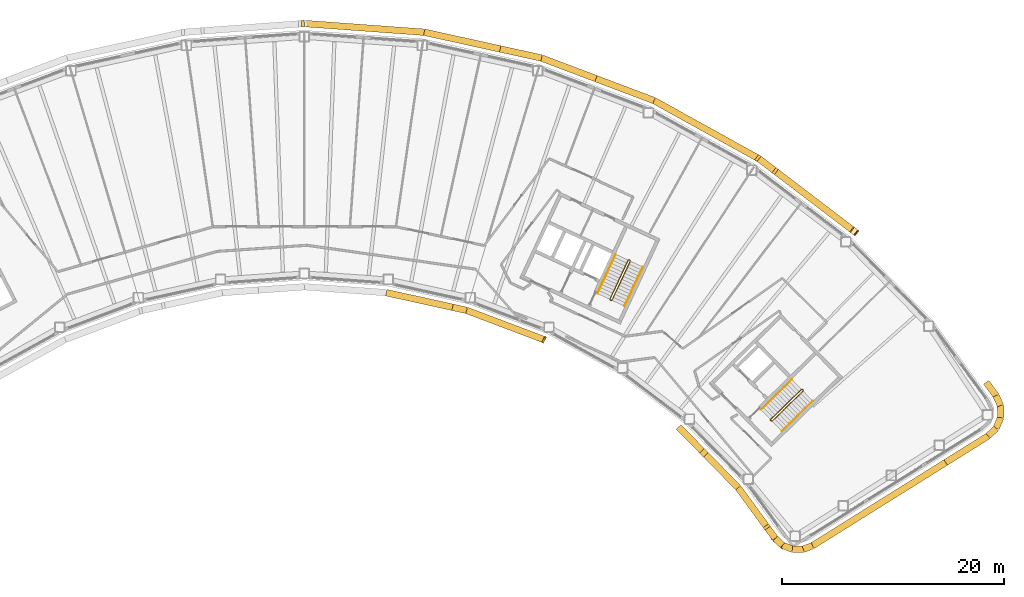
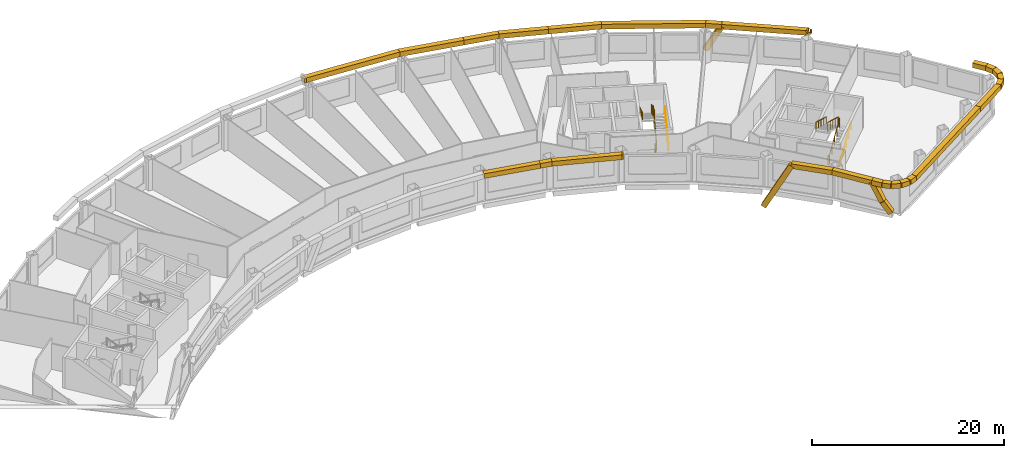
# One storey, part 14 of 14: 33 coverings, 6 railings.
"""IFC4 building model written with IfcOpenShell, lengths in metres."""

import ifcopenshell
import ifcopenshell.guid

model = None  # the IFC model being written
_history = None  # IfcOwnerHistory: only IFC2X3 demands one
_inside = {}  # id of a spatial element -> (the spatial element, [elements in it])
_under = {}  # id of a project, library or spatial element -> (it, [spatial elements below it])
_declared = {}  # id of a project -> (the project, [libraries it declares])
_typed = {}  # id of a type object -> (the type object, [elements of that type])
_made_of = {}  # id of a material, layer set ... -> (it, [elements and type objects made of it])


def new_model(schema):
    """Start an empty IFC model of exactly this schema.

    Asked for "IFC4X3", IfcOpenShell would pick the latest addendum, in which some entities
    have other attributes; the version numbers below select the first issue.
    IFC2X3 requires an IfcOwnerHistory on every rooted entity: one is made here for all.
    """
    global model, _history
    if schema == "IFC4X3":
        model = ifcopenshell.file(schema_version=(4, 3, 0, 0))
    else:
        model = ifcopenshell.file(schema=schema)
    _inside.clear()
    _under.clear()
    _declared.clear()
    _typed.clear()
    _made_of.clear()
    _history = None
    if model.schema == "IFC2X3":
        org = make("IfcOrganization", Name="unknown")
        user = make(
            "IfcPersonAndOrganization",
            ThePerson=make("IfcPerson", FamilyName="unknown"),
            TheOrganization=org,
        )
        app = make(
            "IfcApplication",
            ApplicationDeveloper=org,
            Version="unknown",
            ApplicationFullName="unknown",
            ApplicationIdentifier="unknown",
        )
        _history = make(
            "IfcOwnerHistory",
            OwningUser=user,
            OwningApplication=app,
            ChangeAction="ADDED",
            CreationDate=0,
        )
    return model


def make(cls, **values):
    """One entity of the class cls with the attributes given. An attribute that is None is left unset."""
    return model.create_entity(
        cls, **{name: value for name, value in values.items() if value is not None}
    )


def rooted(cls, **values):
    """An entity with a GlobalId (a new one), such as an element, a storey or a relation."""
    return make(cls, GlobalId=ifcopenshell.guid.new(), OwnerHistory=_history, **values)


def si_unit(unit_type, name, prefix=None):
    """IfcSIUnit, for example si_unit("LENGTHUNIT", "METRE", prefix="MILLI")."""
    return make("IfcSIUnit", UnitType=unit_type, Prefix=prefix, Name=name)


def assignment(units):
    """IfcUnitAssignment: the units of a project."""
    return None if units is None else make("IfcUnitAssignment", Units=units)


def point(xyz):
    """IfcCartesianPoint."""
    return None if xyz is None else make("IfcCartesianPoint", Coordinates=xyz)


def direction(xyz):
    """IfcDirection."""
    return None if xyz is None else make("IfcDirection", DirectionRatios=xyz)


def frame(location, z_axis=None, x_axis=None):
    """IfcAxis2Placement3D, a coordinate frame: its origin and axes. An axis left out is left unset."""
    return make(
        "IfcAxis2Placement3D",
        Location=point(location),
        Axis=direction(z_axis),
        RefDirection=direction(x_axis),
    )


def frame_2d(location, x_axis=None):
    """IfcAxis2Placement2D, a coordinate frame in the plane: its origin and x axis."""
    return make(
        "IfcAxis2Placement2D", Location=point(location), RefDirection=direction(x_axis)
    )


def origin():
    """The frame at (0, 0, 0) with its axes left unset."""
    return frame((0.0, 0.0, 0.0))


def origin_2d():
    """The frame at (0, 0) in the plane with its x axis left unset."""
    return frame_2d((0.0, 0.0))


def place(relative_to, where):
    """IfcLocalPlacement: puts the frame where relative to a parent placement (None: the world)."""
    return make(
        "IfcLocalPlacement", PlacementRelTo=relative_to, RelativePlacement=where
    )


def context(
    kind, dimensions, precision=None, world=None, true_north=None, identifier=None
):
    """IfcGeometricRepresentationContext, for example the 3D "Model" context."""
    return make(
        "IfcGeometricRepresentationContext",
        ContextIdentifier=identifier,
        ContextType=kind,
        CoordinateSpaceDimension=dimensions,
        Precision=precision,
        WorldCoordinateSystem=world,
        TrueNorth=true_north,
    )


def subcontext(parent, identifier, kind, view, scale=None):
    """IfcGeometricRepresentationSubContext, for example "Body" below "Model"."""
    return make(
        "IfcGeometricRepresentationSubContext",
        ContextIdentifier=identifier,
        ContextType=kind,
        ParentContext=parent,
        TargetScale=scale,
        TargetView=view,
    )


def project(units=None, contexts=None):
    """IfcProject with its units and contexts."""
    return rooted(
        "IfcProject",
        Name="project",
        RepresentationContexts=contexts,
        UnitsInContext=assignment(units),
    )


def spatial(cls, under=None, at=None, **own):
    """A site, building, storey or space (cls), placed at a placement, below another one or the project."""
    s = rooted(cls, ObjectPlacement=at, **own)
    if under is not None:
        _under.setdefault(under.id(), (under, []))[1].append(s)
    return s


def profile(cls, at=None, kind="AREA", **sizes):
    """A parametric profile (cls). Its sizes go by their IFC names, for example OverallWidth=200.0."""
    return make(cls, ProfileType=kind, Position=at, **sizes)


def rectangle(**sizes):
    """IfcRectangleProfileDef."""
    return profile("IfcRectangleProfileDef", **sizes)


def circle(**sizes):
    """IfcCircleProfileDef."""
    return profile("IfcCircleProfileDef", **sizes)


def extrude(swept, where, along, depth):
    """IfcExtrudedAreaSolid: the profile swept, set in the frame where, extruded along a direction by depth."""
    return make(
        "IfcExtrudedAreaSolid",
        SweptArea=swept,
        Position=where,
        ExtrudedDirection=direction(along),
        Depth=depth,
    )


def shape(context_of_items, identifier, shape_type, items):
    """IfcShapeRepresentation: the items that make up one representation, for example the "Body"."""
    return make(
        "IfcShapeRepresentation",
        ContextOfItems=context_of_items,
        RepresentationIdentifier=identifier,
        RepresentationType=shape_type,
        Items=items,
    )


def material(Name=None, Category=None):
    """IfcMaterial."""
    return make("IfcMaterial", Name=Name, Category=Category)


def material_profile(
    of_material, cross_section, Name=None, Category=None, Priority=None
):
    """IfcMaterialProfile: a cross section and its material."""
    return make(
        "IfcMaterialProfile",
        Name=Name,
        Material=of_material,
        Profile=cross_section,
        Priority=Priority,
        Category=Category,
    )


def profile_set(profiles, Name=None, composite=None):
    """IfcMaterialProfileSet."""
    return make(
        "IfcMaterialProfileSet",
        Name=Name,
        MaterialProfiles=profiles,
        CompositeProfile=composite,
    )


def made_of(thing, what):
    """Note that an element or type object is made of a material, layer set ...; save() writes the relation."""
    if what is not None:
        _made_of.setdefault(what.id(), (what, []))[1].append(thing)
    return thing


def type_object(cls, material=None, **own):
    """A type object (cls), such as IfcWallType, which elements share."""
    return made_of(rooted(cls, **own), material)


def element(
    cls,
    number,
    at=None,
    inside=None,
    cuts=None,
    type_object=None,
    material=None,
    context=None,
    identifier="Body",
    shape_type=None,
    held_by="IfcProductDefinitionShape",
    body=None,
    shapes=None,
    **own,
):
    """One element of the class cls, such as IfcWall. Its Tag is "e" and its number.

    at: its placement. inside: the storey or other place that contains it. cuts: it is an
    opening in that element (IfcRelVoidsElement). A single representation is given by context,
    identifier, shape_type and body (its items); several are given by shapes. held_by: the class
    of the entity that holds the representations. save() writes the other relations.
    """
    e = rooted(cls, Tag="e%d" % number, ObjectPlacement=at, **own)
    if body is not None:
        shapes = [shape(context, identifier, shape_type, body)]
    if shapes is not None:
        e.Representation = make(held_by, Representations=shapes)
    if inside is not None:
        _inside.setdefault(inside.id(), (inside, []))[1].append(e)
    if cuts is not None:
        rooted(
            "IfcRelVoidsElement", RelatingBuildingElement=cuts, RelatedOpeningElement=e
        )
    if type_object is not None:
        _typed.setdefault(type_object.id(), (type_object, []))[1].append(e)
    return made_of(e, material)


def aggregate(whole, parts):
    """IfcRelAggregates: a whole, such as a stair, and the parts it consists of."""
    return rooted("IfcRelAggregates", RelatingObject=whole, RelatedObjects=parts)


def save(model, path):
    """Write the relations noted so far, then the file.

    IfcRelAggregates (storeys below a building ...), IfcRelContainedInSpatialStructure (elements
    in a storey), IfcRelDefinesByType, IfcRelAssociatesMaterial and IfcRelDeclares: one each for
    every whole, place, type object, material and project.
    """
    for whole, parts in _under.values():
        aggregate(whole, parts)
    for where, things in _inside.values():
        rooted(
            "IfcRelContainedInSpatialStructure",
            RelatedElements=things,
            RelatingStructure=where,
        )
    for kind, things in _typed.values():
        rooted("IfcRelDefinesByType", RelatedObjects=things, RelatingType=kind)
    for what, things in _made_of.values():
        rooted("IfcRelAssociatesMaterial", RelatedObjects=things, RelatingMaterial=what)
    for by, libraries in _declared.values():
        rooted("IfcRelDeclares", RelatingContext=by, RelatedDefinitions=libraries)
    model.write(path)


model = new_model("IFC4")

# Units and contexts
model_context = context("Model", 3, precision=1e-05, world=origin(), true_north=direction((0.0, 1.0)))
body_context = subcontext(model_context, "Body", "Model", "MODEL_VIEW")
ifc_project = project(units=[si_unit("LENGTHUNIT", "METRE"), si_unit("AREAUNIT", "SQUARE_METRE"), si_unit("VOLUMEUNIT", "CUBIC_METRE"), si_unit("PLANEANGLEUNIT", "RADIAN"), si_unit("MASSUNIT", "GRAM", prefix="KILO")], contexts=[model_context])

# Site, building, storey
site_placement = place(None, origin())
site = spatial("IfcSite", under=ifc_project, at=site_placement, CompositionType="ELEMENT")
building_placement = place(site_placement, origin())
building = spatial("IfcBuilding", under=site, at=building_placement, Name="Tuul Gate Civic Tower", CompositionType="ELEMENT")
storey_placement = place(building_placement, frame((0.0, 0.0, 213.699951171875)))
storey = spatial("IfcBuildingStorey", under=building, at=storey_placement, Name="Level 48", CompositionType="ELEMENT", Elevation=213.699951171875)

# Railings
ifc_material_1 = material(Name="Painted steel", Category="steel")
railing_type_1 = type_object("IfcRailingType", Name="Stair guard", PredefinedType="GUARDRAIL", material=ifc_material_1)
railing_1_placement = place(storey_placement, frame((48.10546875, -16.134765625, 0.0)))
element("IfcRailing", 1, at=railing_1_placement, inside=storey, type_object=railing_type_1, Name="Level 48 ST-3 stair guard 1", PredefinedType="GUARDRAIL", context=body_context, shape_type="SweptSolid", body=[
    extrude(circle(Radius=0.02392578125, at=origin_2d()), frame((0.0, 0.0, 1.076171875), z_axis=(-0.698506948293, 0.715603272202, 0.0), x_axis=(-0.715603272202, -0.698506948293, 0.0)), (0.0, 0.0, 1.0), 0.099853515625),
    extrude(circle(Radius=0.02392578125, at=origin_2d()), frame((-0.06982421875, 0.071533203125, 1.076171875), z_axis=(0.644948864628, -0.331432055434, 0.688617277337), x_axis=(0.457068866502, 0.889431307788, 0.0)), (0.0, 0.0, 1.0), 0.218017578125),
    extrude(circle(Radius=0.02392578125, at=origin_2d()), frame((0.07080078125, -0.000732421875, 1.22607421875), z_axis=(0.638731261263, 0.626133563701, 0.447190268558), x_axis=(-0.700029477518, 0.714113947914, 0.0)), (0.0, 0.0, 1.0), 4.3603515625),
    extrude(circle(Radius=0.02392578125, at=origin_2d()), frame((2.85595703125, 2.7294921875, 3.17626953125), z_axis=(0.010380063588, 0.999946125689, 0.0), x_axis=(-0.999946125689, 0.010380063588, 0.0)), (0.0, 0.0, 1.0), 0.070556640625),
    extrude(circle(Radius=0.02392578125, at=origin_2d()), frame((2.856689453125, 2.800048828125, 3.17626953125), z_axis=(-0.699754442181, 0.714383454909, 0.0), x_axis=(-0.714383454909, -0.699754442181, 0.0)), (0.0, 0.0, 1.0), 0.10009765625),
    extrude(circle(Radius=0.02392578125, at=origin_2d()), frame((2.78662109375, 2.87158203125, 3.17626953125), z_axis=(-0.427069033481, 0.004417955519, 0.904208229508), x_axis=(-0.010344274102, -0.999946496565, 0.0)), (0.0, 0.0, 1.0), 0.165771484375),
    extrude(circle(Radius=0.02392578125, at=origin_2d()), frame((2.7158203125, 2.872314453125, 3.326171875), z_axis=(-0.638731261263, -0.626133563701, 0.447190268558), x_axis=(0.700029477518, -0.714113947914, 0.0)), (0.0, 0.0, 1.0), 4.3603515625),
    extrude(circle(Radius=0.02099609375, at=origin_2d()), origin(), (0.0, 0.0, 1.0), 1.052001953125),
    extrude(circle(Radius=0.02099609375, at=origin_2d()), frame((-0.06982421875, 0.071533203125, 0.0)), (0.0, 0.0, 1.0), 1.052001953125),
    extrude(circle(Radius=0.02099609375, at=origin_2d()), frame((0.07080078125, -0.000732421875, 0.150146484375)), (0.0, 0.0, 1.0), 1.052001953125),
    extrude(circle(Radius=0.02099609375, at=origin_2d()), frame((0.76708984375, 0.681884765625, 0.6376953125)), (0.0, 0.0, 1.0), 1.052001953125),
    extrude(circle(Radius=0.02099609375, at=origin_2d()), frame((1.46337890625, 1.3642578125, 1.125)), (0.0, 0.0, 1.0), 1.052001953125),
    extrude(circle(Radius=0.02099609375, at=origin_2d()), frame((2.15966796875, 2.046875, 1.612548828125)), (0.0, 0.0, 1.0), 1.052001953125),
    extrude(circle(Radius=0.02099609375, at=origin_2d()), frame((2.85595703125, 2.7294921875, 2.10009765625)), (0.0, 0.0, 1.0), 1.052001953125),
    extrude(circle(Radius=0.02099609375, at=origin_2d()), frame((2.856689453125, 2.800048828125, 2.10009765625)), (0.0, 0.0, 1.0), 1.052001953125),
    extrude(circle(Radius=0.02099609375, at=origin_2d()), frame((2.78662109375, 2.87158203125, 2.10009765625)), (0.0, 0.0, 1.0), 1.052001953125),
    extrude(circle(Radius=0.02099609375, at=origin_2d()), frame((2.7158203125, 2.872314453125, 2.25)), (0.0, 0.0, 1.0), 1.052001953125),
    extrude(circle(Radius=0.02099609375, at=origin_2d()), frame((2.01953125, 2.189697265625, 2.737548828125)), (0.0, 0.0, 1.0), 1.052001953125),
    extrude(circle(Radius=0.02099609375, at=origin_2d()), frame((1.3232421875, 1.50732421875, 3.22509765625)), (0.0, 0.0, 1.0), 1.052001953125),
    extrude(circle(Radius=0.02099609375, at=origin_2d()), frame((0.626953125, 0.82470703125, 3.71240234375)), (0.0, 0.0, 1.0), 1.052001953125),
    extrude(circle(Radius=0.02099609375, at=origin_2d()), frame((-0.0693359375, 0.14208984375, 4.199951171875)), (0.0, 0.0, 1.0), 1.052001953125),
])
railing_2_placement = place(storey_placement, frame((33.645751953125, -5.238525390625, 0.0)))
element("IfcRailing", 2, at=railing_2_placement, inside=storey, type_object=railing_type_1, Name="Level 48 ST-4 stair guard 1", PredefinedType="GUARDRAIL", context=body_context, shape_type="SweptSolid", body=[
    extrude(circle(Radius=0.02392578125, at=origin_2d()), frame((0.0, 0.0, 1.076171875), z_axis=(-0.906307919131, 0.422617978463, 0.0), x_axis=(-0.422617978463, -0.906307919131, 0.0)), (0.0, 0.0, 1.0), 0.099853515625),
    extrude(circle(Radius=0.02392578125, at=origin_2d()), frame((-0.090576171875, 0.042236328125, 1.076171875), z_axis=(0.720179819621, -0.082882280952, 0.688818956559), x_axis=(0.114330889033, 0.993442724979, 0.0)), (0.0, 0.0, 1.0), 0.218017578125),
    extrude(circle(Radius=0.02392578125, at=origin_2d()), frame((0.06640625, 0.024169921875, 1.22607421875), z_axis=(0.377946903738, 0.810654114417, 0.447209173356), x_axis=(-0.906336612539, 0.422556439746, 0.0)), (0.0, 0.0, 1.0), 4.3603515625),
    extrude(circle(Radius=0.02392578125, at=origin_2d()), frame((1.71435546875, 3.558837890625, 3.17626953125), z_axis=(-0.342020437038, 0.939692513883, 0.0), x_axis=(-0.939692513883, -0.342020437038, 0.0)), (0.0, 0.0, 1.0), 0.070556640625),
    extrude(circle(Radius=0.02392578125, at=origin_2d()), frame((1.690185546875, 3.625244140625, 3.17626953125), z_axis=(-0.906307919131, 0.422617978463, 0.0), x_axis=(-0.422617978463, -0.906307919131, 0.0)), (0.0, 0.0, 1.0), 0.099853515625),
    extrude(circle(Radius=0.02392578125, at=origin_2d()), frame((1.599609375, 3.66748046875, 3.17626953125), z_axis=(-0.40070210376, -0.145843780413, 0.904526072458), x_axis=(0.342020437038, -0.939692513883, 0.0)), (0.0, 0.0, 1.0), 0.165771484375),
    extrude(circle(Radius=0.02392578125, at=origin_2d()), frame((1.533203125, 3.643310546875, 3.326171875), z_axis=(-0.377946903738, -0.810654114417, 0.447209173356), x_axis=(0.906336612539, -0.422556439746, 0.0)), (0.0, 0.0, 1.0), 4.3603515625),
    extrude(circle(Radius=0.02099609375, at=origin_2d()), origin(), (0.0, 0.0, 1.0), 1.052001953125),
    extrude(circle(Radius=0.02099609375, at=origin_2d()), frame((-0.090576171875, 0.042236328125, 0.0)), (0.0, 0.0, 1.0), 1.052001953125),
    extrude(circle(Radius=0.02099609375, at=origin_2d()), frame((0.06640625, 0.024169921875, 0.150146484375)), (0.0, 0.0, 1.0), 1.052001953125),
    extrude(circle(Radius=0.02099609375, at=origin_2d()), frame((0.478515625, 0.90771484375, 0.6376953125)), (0.0, 0.0, 1.0), 1.052001953125),
    extrude(circle(Radius=0.02099609375, at=origin_2d()), frame((0.890380859375, 1.79150390625, 1.125)), (0.0, 0.0, 1.0), 1.052001953125),
    extrude(circle(Radius=0.02099609375, at=origin_2d()), frame((1.30224609375, 2.67529296875, 1.612548828125)), (0.0, 0.0, 1.0), 1.052001953125),
    extrude(circle(Radius=0.02099609375, at=origin_2d()), frame((1.71435546875, 3.558837890625, 2.10009765625)), (0.0, 0.0, 1.0), 1.052001953125),
    extrude(circle(Radius=0.02099609375, at=origin_2d()), frame((1.690185546875, 3.625244140625, 2.10009765625)), (0.0, 0.0, 1.0), 1.052001953125),
    extrude(circle(Radius=0.02099609375, at=origin_2d()), frame((1.599609375, 3.66748046875, 2.10009765625)), (0.0, 0.0, 1.0), 1.052001953125),
    extrude(circle(Radius=0.02099609375, at=origin_2d()), frame((1.533203125, 3.643310546875, 2.25)), (0.0, 0.0, 1.0), 1.052001953125),
    extrude(circle(Radius=0.02099609375, at=origin_2d()), frame((1.12109375, 2.759765625, 2.737548828125)), (0.0, 0.0, 1.0), 1.052001953125),
    extrude(circle(Radius=0.02099609375, at=origin_2d()), frame((0.709228515625, 1.8759765625, 3.22509765625)), (0.0, 0.0, 1.0), 1.052001953125),
    extrude(circle(Radius=0.02099609375, at=origin_2d()), frame((0.29736328125, 0.9921875, 3.71240234375)), (0.0, 0.0, 1.0), 1.052001953125),
    extrude(circle(Radius=0.02099609375, at=origin_2d()), frame((-0.11474609375, 0.108642578125, 4.199951171875)), (0.0, 0.0, 1.0), 1.052001953125),
])
ifc_material_2 = material(Name="Painted steel", Category="steel")
railing_type_2 = type_object("IfcRailingType", Name="Stair handrail", PredefinedType="HANDRAIL", material=ifc_material_2)
railing_3_placement = place(storey_placement, frame((49.05126953125, -17.028076171875, 0.150146484375)))
element("IfcRailing", 3, at=railing_3_placement, inside=storey, type_object=railing_type_2, Name="Level 48 ST-3 stair handrail 1", PredefinedType="HANDRAIL", context=body_context, shape_type="SweptSolid", body=[
    extrude(circle(Radius=0.02392578125, at=origin_2d()), frame((0.0, 0.0, 0.8759765625), z_axis=(0.638753653487, 0.626099522554, 0.447205945863), x_axis=(-0.699997553204, 0.714145241186, 0.0)), (0.0, 0.0, 1.0), 4.3603515625),
    extrude(circle(Radius=0.02099609375, at=origin_2d()), origin(), (0.0, 0.0, 1.0), 0.851806640625),
    extrude(circle(Radius=0.02099609375, at=origin_2d()), frame((0.6962890625, 0.6826171875, 0.487548828125)), (0.0, 0.0, 1.0), 0.851806640625),
    extrude(circle(Radius=0.02099609375, at=origin_2d()), frame((1.392578125, 1.364990234375, 0.97509765625)), (0.0, 0.0, 1.0), 0.851806640625),
    extrude(circle(Radius=0.02099609375, at=origin_2d()), frame((2.0888671875, 2.04736328125, 1.46240234375)), (0.0, 0.0, 1.0), 0.851806640625),
    extrude(circle(Radius=0.02099609375, at=origin_2d()), frame((2.78515625, 2.72998046875, 1.949951171875)), (0.0, 0.0, 1.0), 0.851806640625),
])
railing_4_placement = place(storey_placement, frame((49.9462890625, -12.369873046875, 2.25)))
element("IfcRailing", 4, at=railing_4_placement, inside=storey, type_object=railing_type_2, Name="Level 48 ST-3 stair handrail 2", PredefinedType="HANDRAIL", context=body_context, shape_type="SweptSolid", body=[
    extrude(circle(Radius=0.02392578125, at=origin_2d()), frame((0.0, 0.0, 0.8759765625), z_axis=(-0.638753653487, -0.626099522554, 0.447205945863), x_axis=(0.699997553204, -0.714145241186, 0.0)), (0.0, 0.0, 1.0), 4.3603515625),
    extrude(circle(Radius=0.02099609375, at=origin_2d()), origin(), (0.0, 0.0, 1.0), 0.851806640625),
    extrude(circle(Radius=0.02099609375, at=origin_2d()), frame((-0.6962890625, -0.6826171875, 0.487548828125)), (0.0, 0.0, 1.0), 0.851806640625),
    extrude(circle(Radius=0.02099609375, at=origin_2d()), frame((-1.392578125, -1.364990234375, 0.97509765625)), (0.0, 0.0, 1.0), 0.851806640625),
    extrude(circle(Radius=0.02099609375, at=origin_2d()), frame((-2.0888671875, -2.04736328125, 1.46240234375)), (0.0, 0.0, 1.0), 0.851806640625),
    extrude(circle(Radius=0.02099609375, at=origin_2d()), frame((-2.78515625, -2.72998046875, 1.949951171875)), (0.0, 0.0, 1.0), 0.851806640625),
])
railing_5_placement = place(storey_placement, frame((34.844970703125, -5.74267578125, 0.150146484375)))
element("IfcRailing", 5, at=railing_5_placement, inside=storey, type_object=railing_type_2, Name="Level 48 ST-4 stair handrail 1", PredefinedType="HANDRAIL", context=body_context, shape_type="SweptSolid", body=[
    extrude(circle(Radius=0.02392578125, at=origin_2d()), frame((0.0, 0.0, 0.8759765625), z_axis=(0.377994896215, 0.810636958585, 0.447199709091), x_axis=(-0.906312636903, 0.422607861012, 0.0)), (0.0, 0.0, 1.0), 4.3603515625),
    extrude(circle(Radius=0.02099609375, at=origin_2d()), origin(), (0.0, 0.0, 1.0), 0.851806640625),
    extrude(circle(Radius=0.02099609375, at=origin_2d()), frame((0.412109375, 0.8837890625, 0.487548828125)), (0.0, 0.0, 1.0), 0.851806640625),
    extrude(circle(Radius=0.02099609375, at=origin_2d()), frame((0.82421875, 1.767333984375, 0.97509765625)), (0.0, 0.0, 1.0), 0.851806640625),
    extrude(circle(Radius=0.02099609375, at=origin_2d()), frame((1.236083984375, 2.65087890625, 1.46240234375)), (0.0, 0.0, 1.0), 0.851806640625),
    extrude(circle(Radius=0.02099609375, at=origin_2d()), frame((1.648193359375, 3.53466796875, 1.949951171875)), (0.0, 0.0, 1.0), 0.851806640625),
])
railing_6_placement = place(storey_placement, frame((34.046142578125, -1.06689453125, 2.25)))
element("IfcRailing", 6, at=railing_6_placement, inside=storey, type_object=railing_type_2, Name="Level 48 ST-4 stair handrail 2", PredefinedType="HANDRAIL", context=body_context, shape_type="SweptSolid", body=[
    extrude(circle(Radius=0.02392578125, at=origin_2d()), frame((0.0, 0.0, 0.8759765625), z_axis=(-0.377994896215, -0.810636958585, 0.447199709091), x_axis=(0.906312636903, -0.422607861012, 0.0)), (0.0, 0.0, 1.0), 4.3603515625),
    extrude(circle(Radius=0.02099609375, at=origin_2d()), origin(), (0.0, 0.0, 1.0), 0.851806640625),
    extrude(circle(Radius=0.02099609375, at=origin_2d()), frame((-0.412109375, -0.8837890625, 0.487548828125)), (0.0, 0.0, 1.0), 0.851806640625),
    extrude(circle(Radius=0.02099609375, at=origin_2d()), frame((-0.82421875, -1.767333984375, 0.97509765625)), (0.0, 0.0, 1.0), 0.851806640625),
    extrude(circle(Radius=0.02099609375, at=origin_2d()), frame((-1.236083984375, -2.65087890625, 1.46240234375)), (0.0, 0.0, 1.0), 0.851806640625),
    extrude(circle(Radius=0.02099609375, at=origin_2d()), frame((-1.648193359375, -3.53466796875, 1.949951171875)), (0.0, 0.0, 1.0), 0.851806640625),
])

# Coverings
ifc_material_3 = material(Name="Terracotta baguette", Category="masonry")
ifc_material_profile = material_profile(ifc_material_3, rectangle(XDim=0.60009765625, YDim=0.60009765625, at=origin_2d()), Name="Terracotta baguette screen frame")
ifc_profile_set = profile_set([ifc_material_profile], Name="Terracotta baguette")
covering_type = type_object("IfcCoveringType", Name="Terracotta baguette screen frame", PredefinedType="CLADDING", material=ifc_profile_set)
covering_1_placement = place(storey_placement, frame((63.840087890625, -19.85986328125, 3.85009765625), z_axis=(0.848058898511, 0.529901976461, 0.0), x_axis=(-0.529901976461, 0.848058898511, 0.0)))
element("IfcCovering", 7, at=covering_1_placement, inside=storey, type_object=covering_type, Name="Baguette 4", PredefinedType="CLADDING", context=body_context, shape_type="SweptSolid", body=[
    extrude(rectangle(XDim=0.60009765625, YDim=0.60009765625, at=origin_2d()), origin(), (0.0, 0.0, 1.0), 4.526611328125),
])
covering_2_placement = place(storey_placement, frame((67.678955078125, -17.461181640625, 3.85009765625), z_axis=(0.72214250975, 0.691744313755, 0.0), x_axis=(-0.691744313755, 0.72214250975, 0.0)))
element("IfcCovering", 8, at=covering_2_placement, inside=storey, type_object=covering_type, Name="Baguette 5", PredefinedType="CLADDING", context=body_context, shape_type="SweptSolid", body=[
    extrude(rectangle(XDim=0.60009765625, YDim=0.60009765625, at=origin_2d()), origin(), (0.0, 0.0, 1.0), 0.98779296875),
])
covering_3_placement = place(storey_placement, frame((68.392333984375, -16.77783203125, 3.85009765625), z_axis=(0.386870941786, 0.922133870109, 0.0), x_axis=(-0.922133870109, 0.386870941786, 0.0)))
element("IfcCovering", 9, at=covering_3_placement, inside=storey, type_object=covering_type, Name="Baguette 6", PredefinedType="CLADDING", context=body_context, shape_type="SweptSolid", body=[
    extrude(rectangle(XDim=0.60009765625, YDim=0.60009765625, at=origin_2d()), origin(), (0.0, 0.0, 1.0), 1.06787109375),
])
covering_4_placement = place(storey_placement, frame((68.805419921875, -15.793212890625, 3.85009765625), z_axis=(-0.01602358356, 0.999871614143, 0.0), x_axis=(-0.999871614143, -0.01602358356, 0.0)))
element("IfcCovering", 10, at=covering_4_placement, inside=storey, type_object=covering_type, Name="Baguette 7", PredefinedType="CLADDING", context=body_context, shape_type="SweptSolid", body=[
    extrude(rectangle(XDim=0.60009765625, YDim=0.60009765625, at=origin_2d()), origin(), (0.0, 0.0, 1.0), 1.066650390625),
])
covering_5_placement = place(storey_placement, frame((68.788330078125, -14.726806640625, 3.85009765625), z_axis=(-0.411884607508, 0.911236012292, 0.0), x_axis=(-0.911236012292, -0.411884607508, 0.0)))
element("IfcCovering", 11, at=covering_5_placement, inside=storey, type_object=covering_type, Name="Baguette 8", PredefinedType="CLADDING", context=body_context, shape_type="SweptSolid", body=[
    extrude(rectangle(XDim=0.60009765625, YDim=0.60009765625, at=origin_2d()), origin(), (0.0, 0.0, 1.0), 0.988037109375),
])
covering_6_placement = place(storey_placement, frame((68.38134765625, -13.826416015625, 3.85009765625), z_axis=(-0.58973401814, 0.807597540764, 0.0), x_axis=(-0.807597540764, -0.58973401814, 0.0)))
element("IfcCovering", 12, at=covering_6_placement, inside=storey, type_object=covering_type, Name="Baguette 9", PredefinedType="CLADDING", context=body_context, shape_type="SweptSolid", body=[
    extrude(rectangle(XDim=0.60009765625, YDim=0.60009765625, at=origin_2d()), origin(), (0.0, 0.0, 1.0), 1.494873046875),
])
for number, where, z_axis, x_axis, name in (
    (13, (55.633544921875, 0.976806640625, 4.01806640625), (-0.378497746788, 0.287709435903, -0.879751519561), (-0.605151459078, -0.796110363942, 0.0), "Baguette 28"),
    (14, (55.561279296875, 1.03173828125, 3.85009765625), (0.378497746788, -0.287709435903, -0.879751519561), (0.605151459078, 0.796110363942, 0.0), "Baguette 31"),
):
    element("IfcCovering", number, at=place(storey_placement, frame(where, z_axis=z_axis, x_axis=x_axis)), inside=storey, type_object=covering_type, Name=name, PredefinedType="CLADDING", context=body_context, shape_type="SweptSolid", body=[
        extrude(rectangle(XDim=0.60009765625, YDim=0.60009765625, at=origin_2d()), origin(), (0.0, 0.0, 1.0), 0.19091796875),
    ])
covering_7_placement = place(storey_placement, frame((55.561279296875, 1.03173828125, 3.85009765625), z_axis=(-0.795609596357, 0.605809681488, 0.0), x_axis=(-0.605809681488, -0.795609596357, 0.0)))
element("IfcCovering", 15, at=covering_7_placement, inside=storey, type_object=covering_type, Name="Baguette 33", PredefinedType="CLADDING", context=body_context, shape_type="SweptSolid", body=[
    extrude(rectangle(XDim=0.60009765625, YDim=0.60009765625, at=origin_2d()), origin(), (0.0, 0.0, 1.0), 9.072265625),
])
covering_8_placement = place(storey_placement, frame((48.34326171875, 6.52783203125, 3.85009765625), z_axis=(-0.37804535846, 0.287828427225, -0.879907099317), x_axis=(-0.605768691074, -0.795640806467, 0.0)))
element("IfcCovering", 16, at=covering_8_placement, inside=storey, type_object=covering_type, Name="Baguette 37", PredefinedType="CLADDING", context=body_context, shape_type="SweptSolid", body=[
    extrude(rectangle(XDim=0.60009765625, YDim=0.60009765625, at=origin_2d()), origin(), (0.0, 0.0, 1.0), 3.55322265625),
])
covering_9_placement = place(storey_placement, frame((32.26611328125, 14.793701171875, 3.85009765625), z_axis=(-0.93538863906, 0.353621399123, 0.0), x_axis=(-0.353621399123, -0.93538863906, 0.0)))
element("IfcCovering", 17, at=covering_9_placement, inside=storey, type_object=covering_type, Name="Baguette 54", PredefinedType="CLADDING", context=body_context, shape_type="SweptSolid", body=[
    extrude(rectangle(XDim=0.60009765625, YDim=0.60009765625, at=origin_2d()), origin(), (0.0, 0.0, 1.0), 5.24560546875),
])
covering_10_placement = place(storey_placement, frame((27.359375, 16.648681640625, 3.85009765625), z_axis=(-0.976554947182, 0.21526828641, 0.0), x_axis=(-0.21526828641, -0.976554947182, 0.0)))
element("IfcCovering", 18, at=covering_10_placement, inside=storey, type_object=covering_type, Name="Baguette 55", PredefinedType="CLADDING", context=body_context, shape_type="SweptSolid", body=[
    extrude(rectangle(XDim=0.60009765625, YDim=0.60009765625, at=origin_2d()), origin(), (0.0, 0.0, 1.0), 3.826416015625),
])
covering_11_placement = place(storey_placement, frame((19.3173828125, -5.846923828125, 3.85009765625), z_axis=(0.976566893409, -0.215214085734, 0.0), x_axis=(0.215214085734, 0.976566893409, 0.0)))
element("IfcCovering", 19, at=covering_11_placement, inside=storey, type_object=covering_type, Name="Baguette 229", PredefinedType="CLADDING", context=body_context, shape_type="SweptSolid", body=[
    extrude(rectangle(XDim=0.60009765625, YDim=0.60009765625, at=origin_2d()), origin(), (0.0, 0.0, 1.0), 1.29541015625),
])
covering_12_placement = place(storey_placement, frame((20.58251953125, -6.125732421875, 3.85009765625), z_axis=(0.935368082117, -0.353675770951, 0.0), x_axis=(0.353675770951, 0.935368082117, 0.0)))
element("IfcCovering", 20, at=covering_12_placement, inside=storey, type_object=covering_type, Name="Baguette 230", PredefinedType="CLADDING", context=body_context, shape_type="SweptSolid", body=[
    extrude(rectangle(XDim=0.60009765625, YDim=0.60009765625, at=origin_2d()), origin(), (0.0, 0.0, 1.0), 7.41796875),
])
covering_13_placement = place(storey_placement, frame((27.52099609375, -8.749267578125, 3.85009765625), z_axis=(0.874572816863, -0.484894202898, 0.0), x_axis=(0.484894202898, 0.874572816863, 0.0)))
element("IfcCovering", 21, at=covering_13_placement, inside=storey, type_object=covering_type, Name="Baguette 231", PredefinedType="CLADDING", context=body_context, shape_type="SweptSolid", body=[
    extrude(rectangle(XDim=0.60009765625, YDim=0.60009765625, at=origin_2d()), origin(), (0.0, 0.0, 1.0), 0.138427734375),
])
covering_14_placement = place(storey_placement, frame((42.014892578125, -18.98681640625, 3.85009765625), z_axis=(-0.32630863409, 0.332895374499, -0.884705230546), x_axis=(-0.714136515661, -0.700006454969, 0.0)))
element("IfcCovering", 22, at=covering_14_placement, inside=storey, type_object=covering_type, Name="Baguette 250", PredefinedType="CLADDING", context=body_context, shape_type="SweptSolid", body=[
    extrude(rectangle(XDim=0.60009765625, YDim=0.60009765625, at=origin_2d()), origin(), (0.0, 0.0, 1.0), 6.449462890625),
])
covering_15_placement = place(storey_placement, frame((42.014892578125, -18.98681640625, 3.85009765625), z_axis=(0.70007196419, -0.714072296728, 0.0), x_axis=(0.714072296728, 0.70007196419, 0.0)))
element("IfcCovering", 23, at=covering_15_placement, inside=storey, type_object=covering_type, Name="Baguette 252", PredefinedType="CLADDING", context=body_context, shape_type="SweptSolid", body=[
    extrude(rectangle(XDim=0.60009765625, YDim=0.60009765625, at=origin_2d()), origin(), (0.0, 0.0, 1.0), 4.411865234375),
])
covering_16_placement = place(storey_placement, frame((45.103515625, -22.13720703125, 3.85009765625), z_axis=(0.589722543069, -0.80760592011, 0.0), x_axis=(0.80760592011, 0.589722543069, 0.0)))
element("IfcCovering", 24, at=covering_16_placement, inside=storey, type_object=covering_type, Name="Baguette 253", PredefinedType="CLADDING", context=body_context, shape_type="SweptSolid", body=[
    extrude(rectangle(XDim=0.60009765625, YDim=0.60009765625, at=origin_2d()), origin(), (0.0, 0.0, 1.0), 4.517822265625),
])
covering_17_placement = place(storey_placement, frame((47.767822265625, -25.785888671875, 3.85009765625), z_axis=(0.278694603612, -0.381629545147, -0.881299159303), x_axis=(0.807581128041, 0.589756493505, 0.0)))
element("IfcCovering", 25, at=covering_17_placement, inside=storey, type_object=covering_type, Name="Baguette 258", PredefinedType="CLADDING", context=body_context, shape_type="SweptSolid", body=[
    extrude(rectangle(XDim=0.60009765625, YDim=0.60009765625, at=origin_2d()), origin(), (0.0, 0.0, 1.0), 2.440673828125),
])
covering_18_placement = place(storey_placement, frame((48.447998046875, -26.71728515625, 1.69921875), z_axis=(0.418387257924, -0.391850083924, -0.819393442819), x_axis=(0.683580829185, 0.729874818013, 0.0)))
element("IfcCovering", 26, at=covering_18_placement, inside=storey, type_object=covering_type, Name="Baguette 259", PredefinedType="CLADDING", context=body_context, shape_type="SweptSolid", body=[
    extrude(rectangle(XDim=0.60009765625, YDim=0.60009765625, at=origin_2d()), origin(), (0.0, 0.0, 1.0), 1.5732421875),
])
covering_19_placement = place(storey_placement, frame((48.34326171875, 6.52783203125, 3.85009765625), z_axis=(-0.795640806467, 0.605768691074, 0.0), x_axis=(-0.605768691074, -0.795640806467, 0.0)))
element("IfcCovering", 27, at=covering_19_placement, inside=storey, type_object=covering_type, Name="Baguette 294", PredefinedType="CLADDING", context=body_context, shape_type="SweptSolid", body=[
    extrude(rectangle(XDim=0.60009765625, YDim=0.60009765625, at=origin_2d()), origin(), (0.0, 0.0, 1.0), 1.688232421875),
])
covering_20_placement = place(storey_placement, frame((47.0, 7.550537109375, 3.85009765625), z_axis=(-0.874626999089, 0.484796464987, 0.0), x_axis=(-0.484796464987, -0.874626999089, 0.0)))
element("IfcCovering", 28, at=covering_20_placement, inside=storey, type_object=covering_type, Name="Baguette 295", PredefinedType="CLADDING", context=body_context, shape_type="SweptSolid", body=[
    extrude(rectangle(XDim=0.60009765625, YDim=0.60009765625, at=origin_2d()), origin(), (0.0, 0.0, 1.0), 10.8515625),
])
covering_21_placement = place(storey_placement, frame((37.509033203125, 12.811279296875, 3.85009765625), z_axis=(-0.935368056766, 0.353675837995, 0.0), x_axis=(-0.353675837995, -0.935368056766, 0.0)))
element("IfcCovering", 29, at=covering_21_placement, inside=storey, type_object=covering_type, Name="Baguette 296", PredefinedType="CLADDING", context=body_context, shape_type="SweptSolid", body=[
    extrude(rectangle(XDim=0.60009765625, YDim=0.60009765625, at=origin_2d()), origin(), (0.0, 0.0, 1.0), 5.605224609375),
])
covering_22_placement = place(storey_placement, frame((23.62255859375, 17.472412109375, 3.85009765625), z_axis=(-0.976569873153, 0.21520056424, 0.0), x_axis=(-0.21520056424, -0.976569873153, 0.0)))
element("IfcCovering", 30, at=covering_22_placement, inside=storey, type_object=covering_type, Name="Baguette 299", PredefinedType="CLADDING", context=body_context, shape_type="SweptSolid", body=[
    extrude(rectangle(XDim=0.60009765625, YDim=0.60009765625, at=origin_2d()), origin(), (0.0, 0.0, 1.0), 7.024658203125),
])
covering_23_placement = place(storey_placement, frame((16.762451171875, 18.984130859375, 3.85009765625), z_axis=(-0.997380328027, 0.072335891958, 0.0), x_axis=(-0.072335891958, -0.997380328027, 0.0)))
element("IfcCovering", 31, at=covering_23_placement, inside=storey, type_object=covering_type, Name="Baguette 300", PredefinedType="CLADDING", context=body_context, shape_type="SweptSolid", body=[
    extrude(rectangle(XDim=0.60009765625, YDim=0.60009765625, at=origin_2d()), origin(), (0.0, 0.0, 1.0), 10.850830078125),
])
covering_24_placement = place(storey_placement, frame((5.93994140625, 19.76904296875, 3.85009765625), z_axis=(-0.997365816959, -0.072535695779, 0.0), x_axis=(0.072535695779, -0.997365816959, 0.0)))
element("IfcCovering", 32, at=covering_24_placement, inside=storey, type_object=covering_type, Name="Baguette 301", PredefinedType="CLADDING", context=body_context, shape_type="SweptSolid", body=[
    extrude(rectangle(XDim=0.60009765625, YDim=0.60009765625, at=origin_2d()), origin(), (0.0, 0.0, 1.0), 0.269287109375),
])
covering_25_placement = place(storey_placement, frame((13.338623046875, -4.529052734375, 3.85009765625), z_axis=(0.976557191598, -0.215258104465, 0.0), x_axis=(0.215258104465, 0.976557191598, 0.0)))
element("IfcCovering", 33, at=covering_25_placement, inside=storey, type_object=covering_type, Name="Baguette 357", PredefinedType="CLADDING", context=body_context, shape_type="SweptSolid", body=[
    extrude(rectangle(XDim=0.60009765625, YDim=0.60009765625, at=origin_2d()), origin(), (0.0, 0.0, 1.0), 6.122314453125),
])
covering_26_placement = place(storey_placement, frame((47.767822265625, -25.785888671875, 3.85009765625), z_axis=(0.589756493505, -0.807581128041, 0.0), x_axis=(0.807581128041, 0.589756493505, 0.0)))
element("IfcCovering", 34, at=covering_26_placement, inside=storey, type_object=covering_type, Name="Baguette 364", PredefinedType="CLADDING", context=body_context, shape_type="SweptSolid", body=[
    extrude(rectangle(XDim=0.60009765625, YDim=0.60009765625, at=origin_2d()), origin(), (0.0, 0.0, 1.0), 1.1533203125),
])
covering_27_placement = place(storey_placement, frame((48.447998046875, -26.71728515625, 3.85009765625), z_axis=(0.729874818013, -0.683580829185, 0.0), x_axis=(0.683580829185, 0.729874818013, 0.0)))
element("IfcCovering", 35, at=covering_27_placement, inside=storey, type_object=covering_type, Name="Baguette 365", PredefinedType="CLADDING", context=body_context, shape_type="SweptSolid", body=[
    extrude(rectangle(XDim=0.60009765625, YDim=0.60009765625, at=origin_2d()), origin(), (0.0, 0.0, 1.0), 0.90185546875),
])
covering_28_placement = place(storey_placement, frame((49.106201171875, -27.333740234375, 3.85009765625), z_axis=(0.929477054746, -0.368879932634, 0.0), x_axis=(0.368879932634, 0.929477054746, 0.0)))
element("IfcCovering", 36, at=covering_28_placement, inside=storey, type_object=covering_type, Name="Baguette 366", PredefinedType="CLADDING", context=body_context, shape_type="SweptSolid", body=[
    extrude(rectangle(XDim=0.60009765625, YDim=0.60009765625, at=origin_2d()), origin(), (0.0, 0.0, 1.0), 0.972900390625),
])
covering_29_placement = place(storey_placement, frame((50.010498046875, -27.692626953125, 3.85009765625), z_axis=(0.999996194073, -0.002758956141, 0.0), x_axis=(0.002758956141, 0.999996194073, 0.0)))
element("IfcCovering", 37, at=covering_29_placement, inside=storey, type_object=covering_type, Name="Baguette 367", PredefinedType="CLADDING", context=body_context, shape_type="SweptSolid", body=[
    extrude(rectangle(XDim=0.60009765625, YDim=0.60009765625, at=origin_2d()), origin(), (0.0, 0.0, 1.0), 0.973388671875),
])
covering_30_placement = place(storey_placement, frame((50.98388671875, -27.6953125, 3.85009765625), z_axis=(0.93189278144, 0.362733847194, 0.0), x_axis=(-0.362733847194, 0.93189278144, 0.0)))
element("IfcCovering", 38, at=covering_30_placement, inside=storey, type_object=covering_type, Name="Baguette 368", PredefinedType="CLADDING", context=body_context, shape_type="SweptSolid", body=[
    extrude(rectangle(XDim=0.60009765625, YDim=0.60009765625, at=origin_2d()), origin(), (0.0, 0.0, 1.0), 0.901123046875),
])
covering_31_placement = place(storey_placement, frame((51.82373046875, -27.368408203125, 3.85009765625), z_axis=(0.848051539004, 0.529913754486, 0.0), x_axis=(-0.529913754486, 0.848051539004, 0.0)))
element("IfcCovering", 39, at=covering_31_placement, inside=storey, type_object=covering_type, Name="Baguette 369", PredefinedType="CLADDING", context=body_context, shape_type="SweptSolid", body=[
    extrude(rectangle(XDim=0.60009765625, YDim=0.60009765625, at=origin_2d()), origin(), (0.0, 0.0, 1.0), 14.16943359375),
])

save(model, "model.ifc")
